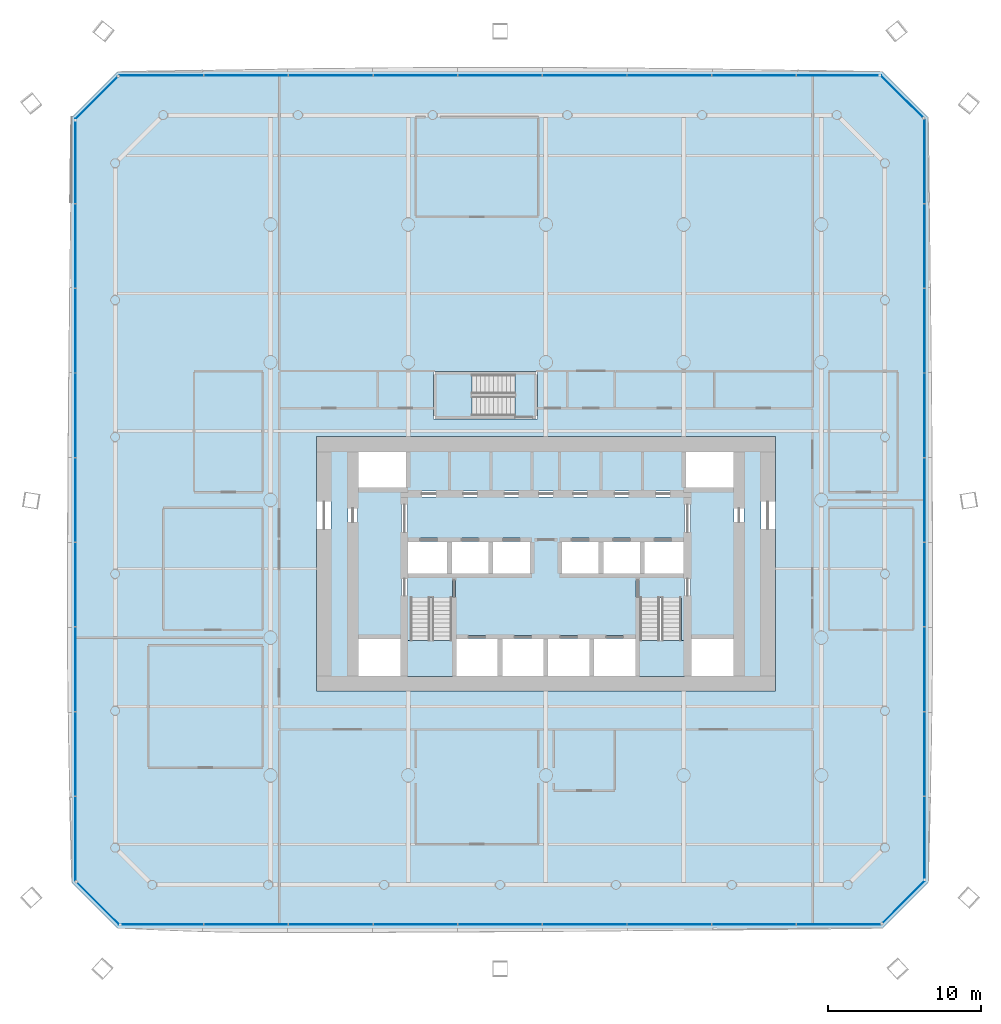
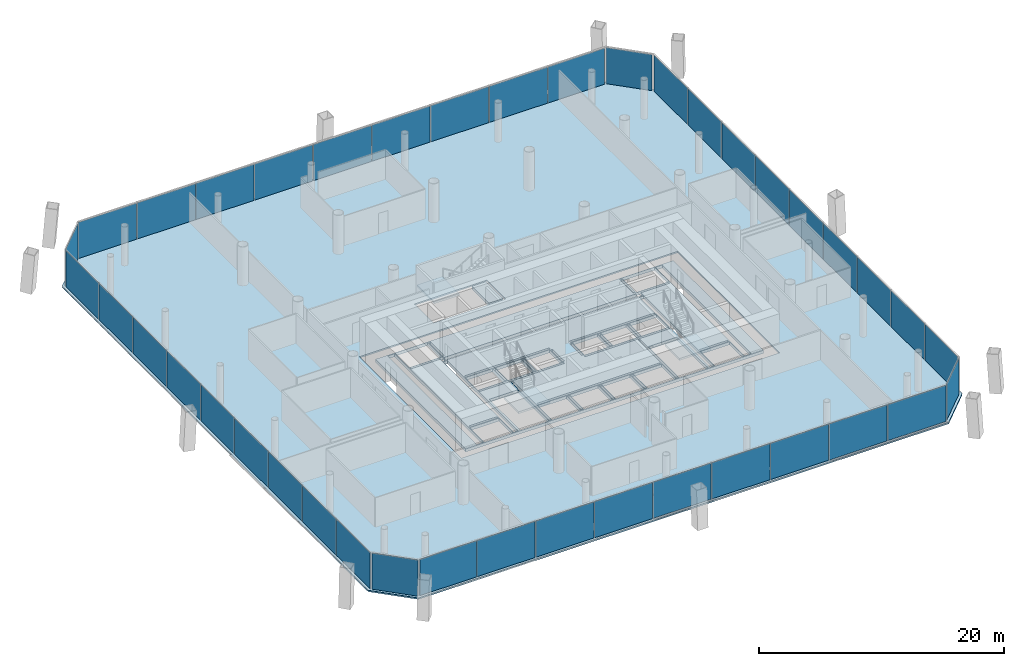
# One storey, part 14 of 23: 40 plates, 6 slabs, 11 elements without a shape of their own.
"""IFC4 building model written with IfcOpenShell, lengths in metres."""

from ifc_helpers import new_model, si_unit, direction, frame, origin, origin_2d, place, context, subcontext, project, spatial, polyline, rectangle, outline, extrude, material, layer, layer_set, type_object, element, aggregate, save


model = new_model("IFC4")

# Units and contexts
model_context = context("Model", 3, precision=1e-05, world=origin(), true_north=direction((0.0, 1.0)))
body_context = subcontext(model_context, "Body", "Model", "MODEL_VIEW")
ifc_project = project(units=[si_unit("LENGTHUNIT", "METRE"), si_unit("AREAUNIT", "SQUARE_METRE"), si_unit("VOLUMEUNIT", "CUBIC_METRE"), si_unit("PLANEANGLEUNIT", "RADIAN"), si_unit("MASSUNIT", "GRAM", prefix="KILO")], contexts=[model_context])

# Site, building, storey
site_placement = place(None, origin())
site = spatial("IfcSite", under=ifc_project, at=site_placement, CompositionType="ELEMENT")
building_placement = place(site_placement, origin())
building = spatial("IfcBuilding", under=site, at=building_placement, Name="Tskaro Facet Tower", CompositionType="ELEMENT")
storey_placement = place(building_placement, frame((0.0, 0.0, 14.699951171875)))
storey = spatial("IfcBuildingStorey", under=building, at=storey_placement, Name="L02", CompositionType="ELEMENT", Elevation=14.699951171875)

# Slab
ifc_material_1 = material(Name="Concrete C30/37", Category="concrete")
ifc_layer_1 = layer(ifc_material_1, 0.139892578125, Name="Concrete C30/37")
ifc_layer_set_1 = layer_set([ifc_layer_1], Name="Concrete C30/37")
slab_type_1 = type_object("IfcSlabType", Name="Composite deck floor slab", PredefinedType="FLOOR", material=ifc_layer_set_1)
slab_1_placement = place(storey_placement, frame((0.0, 0.0, -0.139892578125)))
element("IfcSlab", 1, at=slab_1_placement, inside=storey, type_object=slab_type_1, Name="Floor slab FS3 L02", PredefinedType="FLOOR", context=body_context, shape_type="SweptSolid", body=[
    extrude(outline(polyline([(-28.0, -28.0), (22.0, -28.0), (25.0, -25.0), (25.0, 25.0), (22.0, 28.0), (-28.0, 28.0), (-31.0, 25.0), (-31.0, -25.0), (-28.0, -28.0)]), holes=[polyline([(-15.0, -12.5), (15.0, -12.5), (15.0, 4.14990234375), (-15.0, 4.14990234375), (-15.0, -12.5)]), polyline([(-7.35009765625, 5.300048828125), (-0.550048828125, 5.300048828125), (-0.550048828125, 8.39990234375), (-7.35009765625, 8.39990234375), (-7.35009765625, 5.300048828125)])]), origin(), (0.0, 0.0, 1.0), 0.139892578125),
])

# Curtain wall, plates
ifc_material_2 = material(Name="Bronze anodised aluminium 6063-T6", Category="aluminium")
curtain_wall_type = type_object("IfcCurtainWallType", Name="Bronze office curtain wall (FW1)", PredefinedType="NOTDEFINED", material=ifc_material_2)
curtain_wall_1_placement = place(storey_placement, origin())
curtain_wall_1 = element("IfcCurtainWall", 2, at=curtain_wall_1_placement, inside=storey, type_object=curtain_wall_type, Name="FW1 south facet L02", PredefinedType="NOTDEFINED")
ifc_material_3 = material(Name="Bronze tinted glass", Category="glass")
ifc_layer_2 = layer(ifc_material_3, 0.031982421875, Name="Bronze tinted glass")
ifc_layer_set_2 = layer_set([ifc_layer_2], Name="Bronze tinted glass")
plate_type = type_object("IfcPlateType", Name="FW1 bronze-tinted unit glazing 32", PredefinedType="CURTAIN_PANEL", material=ifc_layer_set_2)
plate_1_placement = place(storey_placement, frame((-25.064697265625, -27.75, 0.0), z_axis=(0.0, 0.0, 1.0), x_axis=(1.0, 0.0, 0.0)))
plate_1 = element("IfcPlate", 3, at=plate_1_placement, type_object=plate_type, Name="FW1 south glazing 1.1", PredefinedType="CURTAIN_PANEL", context=body_context, shape_type="SweptSolid", body=[
    extrude(rectangle(XDim=5.342529296875, YDim=0.031982421875, at=origin_2d()), origin(), (0.0, 0.0, 1.0), 3.60009765625),
])
plate_2_placement = place(storey_placement, frame((-19.597412109375, -27.75, 0.0), z_axis=(0.0, 0.0, 1.0), x_axis=(1.0, 0.0, 0.0)))
plate_2 = element("IfcPlate", 4, at=plate_2_placement, type_object=plate_type, Name="FW1 south glazing 2.1", PredefinedType="CURTAIN_PANEL", context=body_context, shape_type="SweptSolid", body=[
    extrude(rectangle(XDim=5.472412109375, YDim=0.031982421875, at=origin_2d()), origin(), (0.0, 0.0, 1.0), 3.60009765625),
])
plate_3_placement = place(storey_placement, frame((-14.06494140625, -27.75, 0.0), z_axis=(0.0, 0.0, 1.0), x_axis=(1.0, 0.0, 0.0)))
plate_3 = element("IfcPlate", 5, at=plate_3_placement, type_object=plate_type, Name="FW1 south glazing 3.1", PredefinedType="CURTAIN_PANEL", context=body_context, shape_type="SweptSolid", body=[
    extrude(rectangle(XDim=5.472412109375, YDim=0.031982421875, at=origin_2d()), origin(), (0.0, 0.0, 1.0), 3.60009765625),
])
plate_4_placement = place(storey_placement, frame((-8.532470703125, -27.75, 0.0), z_axis=(0.0, 0.0, 1.0), x_axis=(1.0, 0.0, 0.0)))
plate_4 = element("IfcPlate", 6, at=plate_4_placement, type_object=plate_type, Name="FW1 south glazing 4.1", PredefinedType="CURTAIN_PANEL", context=body_context, shape_type="SweptSolid", body=[
    extrude(rectangle(XDim=5.472412109375, YDim=0.031982421875, at=origin_2d()), origin(), (0.0, 0.0, 1.0), 3.60009765625),
])
plate_5_placement = place(storey_placement, frame((-3.0, -27.75, 0.0), z_axis=(0.0, 0.0, 1.0), x_axis=(1.0, 0.0, 0.0)))
plate_5 = element("IfcPlate", 7, at=plate_5_placement, type_object=plate_type, Name="FW1 south glazing 5.1", PredefinedType="CURTAIN_PANEL", context=body_context, shape_type="SweptSolid", body=[
    extrude(rectangle(XDim=5.472412109375, YDim=0.031982421875, at=origin_2d()), origin(), (0.0, 0.0, 1.0), 3.60009765625),
])
plate_6_placement = place(storey_placement, frame((2.532470703125, -27.75, 0.0), z_axis=(0.0, 0.0, 1.0), x_axis=(1.0, 0.0, 0.0)))
plate_6 = element("IfcPlate", 8, at=plate_6_placement, type_object=plate_type, Name="FW1 south glazing 6.1", PredefinedType="CURTAIN_PANEL", context=body_context, shape_type="SweptSolid", body=[
    extrude(rectangle(XDim=5.472412109375, YDim=0.031982421875, at=origin_2d()), origin(), (0.0, 0.0, 1.0), 3.60009765625),
])
plate_7_placement = place(storey_placement, frame((8.06494140625, -27.75, 0.0), z_axis=(0.0, 0.0, 1.0), x_axis=(1.0, 0.0, 0.0)))
plate_7 = element("IfcPlate", 9, at=plate_7_placement, type_object=plate_type, Name="FW1 south glazing 7.1", PredefinedType="CURTAIN_PANEL", context=body_context, shape_type="SweptSolid", body=[
    extrude(rectangle(XDim=5.472412109375, YDim=0.031982421875, at=origin_2d()), origin(), (0.0, 0.0, 1.0), 3.60009765625),
])
plate_8_placement = place(storey_placement, frame((13.597412109375, -27.75, 0.0), z_axis=(0.0, 0.0, 1.0), x_axis=(1.0, 0.0, 0.0)))
plate_8 = element("IfcPlate", 10, at=plate_8_placement, type_object=plate_type, Name="FW1 south glazing 8.1", PredefinedType="CURTAIN_PANEL", context=body_context, shape_type="SweptSolid", body=[
    extrude(rectangle(XDim=5.472412109375, YDim=0.031982421875, at=origin_2d()), origin(), (0.0, 0.0, 1.0), 3.60009765625),
])
plate_9_placement = place(storey_placement, frame((19.144775390625, -27.75, 0.0), z_axis=(0.0, 0.0, 1.0), x_axis=(1.0, 0.0, 0.0)))
plate_9 = element("IfcPlate", 11, at=plate_9_placement, type_object=plate_type, Name="FW1 south glazing 9.1", PredefinedType="CURTAIN_PANEL", context=body_context, shape_type="SweptSolid", body=[
    extrude(rectangle(XDim=5.50244140625, YDim=0.031982421875, at=origin_2d()), origin(), (0.0, 0.0, 1.0), 3.60009765625),
])
aggregate(curtain_wall_1, [plate_1, plate_2, plate_3, plate_4, plate_5, plate_6, plate_7, plate_8, plate_9])

# Curtain wall, plate
curtain_wall_2_placement = place(storey_placement, origin())
curtain_wall_2 = element("IfcCurtainWall", 12, at=curtain_wall_2_placement, inside=storey, type_object=curtain_wall_type, Name="FW1 south-east facet L02", PredefinedType="NOTDEFINED")
plate_10_placement = place(storey_placement, frame((23.379638671875, -26.266357421875, 0.0), z_axis=(0.0, 0.0, 1.0), x_axis=(0.707106781187, 0.707106781187, 0.0)))
plate_10 = element("IfcPlate", 13, at=plate_10_placement, type_object=plate_type, Name="FW1 south-east glazing 1.1", PredefinedType="CURTAIN_PANEL", context=body_context, shape_type="SweptSolid", body=[
    extrude(rectangle(XDim=3.876220703125, YDim=0.031982421875, at=origin_2d()), origin(), (0.0, 0.0, 1.0), 3.60009765625),
])
aggregate(curtain_wall_2, [plate_10])

# Curtain wall, plates
curtain_wall_3_placement = place(storey_placement, origin())
curtain_wall_3 = element("IfcCurtainWall", 14, at=curtain_wall_3_placement, inside=storey, type_object=curtain_wall_type, Name="FW1 east facet L02", PredefinedType="NOTDEFINED")
plate_11_placement = place(storey_placement, frame((24.75, -22.064697265625, 0.0), z_axis=(0.0, 0.0, 1.0), x_axis=(0.0, 1.0, 0.0)))
plate_11 = element("IfcPlate", 15, at=plate_11_placement, type_object=plate_type, Name="FW1 east glazing 1.1", PredefinedType="CURTAIN_PANEL", context=body_context, shape_type="SweptSolid", body=[
    extrude(rectangle(XDim=5.342529296875, YDim=0.031982421875, at=origin_2d()), origin(), (0.0, 0.0, 1.0), 3.60009765625),
])
plate_12_placement = place(storey_placement, frame((24.75, -16.597412109375, 0.0), z_axis=(0.0, 0.0, 1.0), x_axis=(0.0, 1.0, 0.0)))
plate_12 = element("IfcPlate", 16, at=plate_12_placement, type_object=plate_type, Name="FW1 east glazing 2.1", PredefinedType="CURTAIN_PANEL", context=body_context, shape_type="SweptSolid", body=[
    extrude(rectangle(XDim=5.472412109375, YDim=0.031982421875, at=origin_2d()), origin(), (0.0, 0.0, 1.0), 3.60009765625),
])
plate_13_placement = place(storey_placement, frame((24.75, -11.06494140625, 0.0), z_axis=(0.0, 0.0, 1.0), x_axis=(0.0, 1.0, 0.0)))
plate_13 = element("IfcPlate", 17, at=plate_13_placement, type_object=plate_type, Name="FW1 east glazing 3.1", PredefinedType="CURTAIN_PANEL", context=body_context, shape_type="SweptSolid", body=[
    extrude(rectangle(XDim=5.472412109375, YDim=0.031982421875, at=origin_2d()), origin(), (0.0, 0.0, 1.0), 3.60009765625),
])
plate_14_placement = place(storey_placement, frame((24.75, -5.532470703125, 0.0), z_axis=(0.0, 0.0, 1.0), x_axis=(0.0, 1.0, 0.0)))
plate_14 = element("IfcPlate", 18, at=plate_14_placement, type_object=plate_type, Name="FW1 east glazing 4.1", PredefinedType="CURTAIN_PANEL", context=body_context, shape_type="SweptSolid", body=[
    extrude(rectangle(XDim=5.472412109375, YDim=0.031982421875, at=origin_2d()), origin(), (0.0, 0.0, 1.0), 3.60009765625),
])
plate_15_placement = place(storey_placement, frame((24.75, 0.0, 0.0), z_axis=(0.0, 0.0, 1.0), x_axis=(0.0, 1.0, 0.0)))
plate_15 = element("IfcPlate", 19, at=plate_15_placement, type_object=plate_type, Name="FW1 east glazing 5.1", PredefinedType="CURTAIN_PANEL", context=body_context, shape_type="SweptSolid", body=[
    extrude(rectangle(XDim=5.472412109375, YDim=0.031982421875, at=origin_2d()), origin(), (0.0, 0.0, 1.0), 3.60009765625),
])
plate_16_placement = place(storey_placement, frame((24.75, 5.532470703125, 0.0), z_axis=(0.0, 0.0, 1.0), x_axis=(0.0, 1.0, 0.0)))
plate_16 = element("IfcPlate", 20, at=plate_16_placement, type_object=plate_type, Name="FW1 east glazing 6.1", PredefinedType="CURTAIN_PANEL", context=body_context, shape_type="SweptSolid", body=[
    extrude(rectangle(XDim=5.472412109375, YDim=0.031982421875, at=origin_2d()), origin(), (0.0, 0.0, 1.0), 3.60009765625),
])
plate_17_placement = place(storey_placement, frame((24.75, 11.06494140625, 0.0), z_axis=(0.0, 0.0, 1.0), x_axis=(0.0, 1.0, 0.0)))
plate_17 = element("IfcPlate", 21, at=plate_17_placement, type_object=plate_type, Name="FW1 east glazing 7.1", PredefinedType="CURTAIN_PANEL", context=body_context, shape_type="SweptSolid", body=[
    extrude(rectangle(XDim=5.472412109375, YDim=0.031982421875, at=origin_2d()), origin(), (0.0, 0.0, 1.0), 3.60009765625),
])
plate_18_placement = place(storey_placement, frame((24.75, 16.597412109375, 0.0), z_axis=(0.0, 0.0, 1.0), x_axis=(0.0, 1.0, 0.0)))
plate_18 = element("IfcPlate", 22, at=plate_18_placement, type_object=plate_type, Name="FW1 east glazing 8.1", PredefinedType="CURTAIN_PANEL", context=body_context, shape_type="SweptSolid", body=[
    extrude(rectangle(XDim=5.472412109375, YDim=0.031982421875, at=origin_2d()), origin(), (0.0, 0.0, 1.0), 3.60009765625),
])
plate_19_placement = place(storey_placement, frame((24.75, 22.144775390625, 0.0), z_axis=(0.0, 0.0, 1.0), x_axis=(0.0, 1.0, 0.0)))
plate_19 = element("IfcPlate", 23, at=plate_19_placement, type_object=plate_type, Name="FW1 east glazing 9.1", PredefinedType="CURTAIN_PANEL", context=body_context, shape_type="SweptSolid", body=[
    extrude(rectangle(XDim=5.50244140625, YDim=0.031982421875, at=origin_2d()), origin(), (0.0, 0.0, 1.0), 3.60009765625),
])
aggregate(curtain_wall_3, [plate_11, plate_12, plate_13, plate_14, plate_15, plate_16, plate_17, plate_18, plate_19])

# Curtain wall, plate
curtain_wall_4_placement = place(storey_placement, origin())
curtain_wall_4 = element("IfcCurtainWall", 24, at=curtain_wall_4_placement, inside=storey, type_object=curtain_wall_type, Name="FW1 north-east facet L02", PredefinedType="NOTDEFINED")
plate_20_placement = place(storey_placement, frame((23.266357421875, 26.379638671875, 0.0), z_axis=(0.0, 0.0, 1.0), x_axis=(-0.707106781187, 0.707106781187, 0.0)))
plate_20 = element("IfcPlate", 25, at=plate_20_placement, type_object=plate_type, Name="FW1 north-east glazing 1.1", PredefinedType="CURTAIN_PANEL", context=body_context, shape_type="SweptSolid", body=[
    extrude(rectangle(XDim=3.876220703125, YDim=0.031982421875, at=origin_2d()), origin(), (0.0, 0.0, 1.0), 3.60009765625),
])
aggregate(curtain_wall_4, [plate_20])

# Curtain wall, plates
curtain_wall_5_placement = place(storey_placement, origin())
curtain_wall_5 = element("IfcCurtainWall", 26, at=curtain_wall_5_placement, inside=storey, type_object=curtain_wall_type, Name="FW1 north facet L02", PredefinedType="NOTDEFINED")
plate_21_placement = place(storey_placement, frame((19.064697265625, 27.75, 0.0), z_axis=(0.0, 0.0, 1.0), x_axis=(-1.0, 0.0, 0.0)))
plate_21 = element("IfcPlate", 27, at=plate_21_placement, type_object=plate_type, Name="FW1 north glazing 1.1", PredefinedType="CURTAIN_PANEL", context=body_context, shape_type="SweptSolid", body=[
    extrude(rectangle(XDim=5.342529296875, YDim=0.031982421875, at=origin_2d()), origin(), (0.0, 0.0, 1.0), 3.60009765625),
])
plate_22_placement = place(storey_placement, frame((13.597412109375, 27.75, 0.0), z_axis=(0.0, 0.0, 1.0), x_axis=(-1.0, 0.0, 0.0)))
plate_22 = element("IfcPlate", 28, at=plate_22_placement, type_object=plate_type, Name="FW1 north glazing 2.1", PredefinedType="CURTAIN_PANEL", context=body_context, shape_type="SweptSolid", body=[
    extrude(rectangle(XDim=5.472412109375, YDim=0.031982421875, at=origin_2d()), origin(), (0.0, 0.0, 1.0), 3.60009765625),
])
plate_23_placement = place(storey_placement, frame((8.06494140625, 27.75, 0.0), z_axis=(0.0, 0.0, 1.0), x_axis=(-1.0, 0.0, 0.0)))
plate_23 = element("IfcPlate", 29, at=plate_23_placement, type_object=plate_type, Name="FW1 north glazing 3.1", PredefinedType="CURTAIN_PANEL", context=body_context, shape_type="SweptSolid", body=[
    extrude(rectangle(XDim=5.472412109375, YDim=0.031982421875, at=origin_2d()), origin(), (0.0, 0.0, 1.0), 3.60009765625),
])
plate_24_placement = place(storey_placement, frame((2.532470703125, 27.75, 0.0), z_axis=(0.0, 0.0, 1.0), x_axis=(-1.0, 0.0, 0.0)))
plate_24 = element("IfcPlate", 30, at=plate_24_placement, type_object=plate_type, Name="FW1 north glazing 4.1", PredefinedType="CURTAIN_PANEL", context=body_context, shape_type="SweptSolid", body=[
    extrude(rectangle(XDim=5.472412109375, YDim=0.031982421875, at=origin_2d()), origin(), (0.0, 0.0, 1.0), 3.60009765625),
])
plate_25_placement = place(storey_placement, frame((-3.0, 27.75, 0.0), z_axis=(0.0, 0.0, 1.0), x_axis=(-1.0, 0.0, 0.0)))
plate_25 = element("IfcPlate", 31, at=plate_25_placement, type_object=plate_type, Name="FW1 north glazing 5.1", PredefinedType="CURTAIN_PANEL", context=body_context, shape_type="SweptSolid", body=[
    extrude(rectangle(XDim=5.472412109375, YDim=0.031982421875, at=origin_2d()), origin(), (0.0, 0.0, 1.0), 3.60009765625),
])
plate_26_placement = place(storey_placement, frame((-8.532470703125, 27.75, 0.0), z_axis=(0.0, 0.0, 1.0), x_axis=(-1.0, 0.0, 0.0)))
plate_26 = element("IfcPlate", 32, at=plate_26_placement, type_object=plate_type, Name="FW1 north glazing 6.1", PredefinedType="CURTAIN_PANEL", context=body_context, shape_type="SweptSolid", body=[
    extrude(rectangle(XDim=5.472412109375, YDim=0.031982421875, at=origin_2d()), origin(), (0.0, 0.0, 1.0), 3.60009765625),
])
plate_27_placement = place(storey_placement, frame((-14.06494140625, 27.75, 0.0), z_axis=(0.0, 0.0, 1.0), x_axis=(-1.0, 0.0, 0.0)))
plate_27 = element("IfcPlate", 33, at=plate_27_placement, type_object=plate_type, Name="FW1 north glazing 7.1", PredefinedType="CURTAIN_PANEL", context=body_context, shape_type="SweptSolid", body=[
    extrude(rectangle(XDim=5.472412109375, YDim=0.031982421875, at=origin_2d()), origin(), (0.0, 0.0, 1.0), 3.60009765625),
])
plate_28_placement = place(storey_placement, frame((-19.597412109375, 27.75, 0.0), z_axis=(0.0, 0.0, 1.0), x_axis=(-1.0, 0.0, 0.0)))
plate_28 = element("IfcPlate", 34, at=plate_28_placement, type_object=plate_type, Name="FW1 north glazing 8.1", PredefinedType="CURTAIN_PANEL", context=body_context, shape_type="SweptSolid", body=[
    extrude(rectangle(XDim=5.472412109375, YDim=0.031982421875, at=origin_2d()), origin(), (0.0, 0.0, 1.0), 3.60009765625),
])
plate_29_placement = place(storey_placement, frame((-25.144775390625, 27.75, 0.0), z_axis=(0.0, 0.0, 1.0), x_axis=(-1.0, 0.0, 0.0)))
plate_29 = element("IfcPlate", 35, at=plate_29_placement, type_object=plate_type, Name="FW1 north glazing 9.1", PredefinedType="CURTAIN_PANEL", context=body_context, shape_type="SweptSolid", body=[
    extrude(rectangle(XDim=5.50244140625, YDim=0.031982421875, at=origin_2d()), origin(), (0.0, 0.0, 1.0), 3.60009765625),
])
aggregate(curtain_wall_5, [plate_21, plate_22, plate_23, plate_24, plate_25, plate_26, plate_27, plate_28, plate_29])

# Curtain wall, plate
curtain_wall_6_placement = place(storey_placement, origin())
curtain_wall_6 = element("IfcCurtainWall", 36, at=curtain_wall_6_placement, inside=storey, type_object=curtain_wall_type, Name="FW1 north-west facet L02", PredefinedType="NOTDEFINED")
plate_30_placement = place(storey_placement, frame((-29.379638671875, 26.266357421875, 0.0), z_axis=(0.0, 0.0, 1.0), x_axis=(-0.707106781187, -0.707106781187, 0.0)))
plate_30 = element("IfcPlate", 37, at=plate_30_placement, type_object=plate_type, Name="FW1 north-west glazing 1.1", PredefinedType="CURTAIN_PANEL", context=body_context, shape_type="SweptSolid", body=[
    extrude(rectangle(XDim=3.876220703125, YDim=0.031982421875, at=origin_2d()), origin(), (0.0, 0.0, 1.0), 3.60009765625),
])
aggregate(curtain_wall_6, [plate_30])

# Curtain wall, plates
curtain_wall_7_placement = place(storey_placement, origin())
curtain_wall_7 = element("IfcCurtainWall", 38, at=curtain_wall_7_placement, inside=storey, type_object=curtain_wall_type, Name="FW1 west facet L02", PredefinedType="NOTDEFINED")
plate_31_placement = place(storey_placement, frame((-30.75, 22.064697265625, 0.0), z_axis=(0.0, 0.0, 1.0), x_axis=(0.0, -1.0, 0.0)))
plate_31 = element("IfcPlate", 39, at=plate_31_placement, type_object=plate_type, Name="FW1 west glazing 1.1", PredefinedType="CURTAIN_PANEL", context=body_context, shape_type="SweptSolid", body=[
    extrude(rectangle(XDim=5.342529296875, YDim=0.031982421875, at=origin_2d()), origin(), (0.0, 0.0, 1.0), 3.60009765625),
])
plate_32_placement = place(storey_placement, frame((-30.75, 16.597412109375, 0.0), z_axis=(0.0, 0.0, 1.0), x_axis=(0.0, -1.0, 0.0)))
plate_32 = element("IfcPlate", 40, at=plate_32_placement, type_object=plate_type, Name="FW1 west glazing 2.1", PredefinedType="CURTAIN_PANEL", context=body_context, shape_type="SweptSolid", body=[
    extrude(rectangle(XDim=5.472412109375, YDim=0.031982421875, at=origin_2d()), origin(), (0.0, 0.0, 1.0), 3.60009765625),
])
plate_33_placement = place(storey_placement, frame((-30.75, 11.06494140625, 0.0), z_axis=(0.0, 0.0, 1.0), x_axis=(0.0, -1.0, 0.0)))
plate_33 = element("IfcPlate", 41, at=plate_33_placement, type_object=plate_type, Name="FW1 west glazing 3.1", PredefinedType="CURTAIN_PANEL", context=body_context, shape_type="SweptSolid", body=[
    extrude(rectangle(XDim=5.472412109375, YDim=0.031982421875, at=origin_2d()), origin(), (0.0, 0.0, 1.0), 3.60009765625),
])
plate_34_placement = place(storey_placement, frame((-30.75, 5.532470703125, 0.0), z_axis=(0.0, 0.0, 1.0), x_axis=(0.0, -1.0, 0.0)))
plate_34 = element("IfcPlate", 42, at=plate_34_placement, type_object=plate_type, Name="FW1 west glazing 4.1", PredefinedType="CURTAIN_PANEL", context=body_context, shape_type="SweptSolid", body=[
    extrude(rectangle(XDim=5.472412109375, YDim=0.031982421875, at=origin_2d()), origin(), (0.0, 0.0, 1.0), 3.60009765625),
])
plate_35_placement = place(storey_placement, frame((-30.75, 0.0, 0.0), z_axis=(0.0, 0.0, 1.0), x_axis=(0.0, -1.0, 0.0)))
plate_35 = element("IfcPlate", 43, at=plate_35_placement, type_object=plate_type, Name="FW1 west glazing 5.1", PredefinedType="CURTAIN_PANEL", context=body_context, shape_type="SweptSolid", body=[
    extrude(rectangle(XDim=5.472412109375, YDim=0.031982421875, at=origin_2d()), origin(), (0.0, 0.0, 1.0), 3.60009765625),
])
plate_36_placement = place(storey_placement, frame((-30.75, -5.532470703125, 0.0), z_axis=(0.0, 0.0, 1.0), x_axis=(0.0, -1.0, 0.0)))
plate_36 = element("IfcPlate", 44, at=plate_36_placement, type_object=plate_type, Name="FW1 west glazing 6.1", PredefinedType="CURTAIN_PANEL", context=body_context, shape_type="SweptSolid", body=[
    extrude(rectangle(XDim=5.472412109375, YDim=0.031982421875, at=origin_2d()), origin(), (0.0, 0.0, 1.0), 3.60009765625),
])
plate_37_placement = place(storey_placement, frame((-30.75, -11.06494140625, 0.0), z_axis=(0.0, 0.0, 1.0), x_axis=(0.0, -1.0, 0.0)))
plate_37 = element("IfcPlate", 45, at=plate_37_placement, type_object=plate_type, Name="FW1 west glazing 7.1", PredefinedType="CURTAIN_PANEL", context=body_context, shape_type="SweptSolid", body=[
    extrude(rectangle(XDim=5.472412109375, YDim=0.031982421875, at=origin_2d()), origin(), (0.0, 0.0, 1.0), 3.60009765625),
])
plate_38_placement = place(storey_placement, frame((-30.75, -16.597412109375, 0.0), z_axis=(0.0, 0.0, 1.0), x_axis=(0.0, -1.0, 0.0)))
plate_38 = element("IfcPlate", 46, at=plate_38_placement, type_object=plate_type, Name="FW1 west glazing 8.1", PredefinedType="CURTAIN_PANEL", context=body_context, shape_type="SweptSolid", body=[
    extrude(rectangle(XDim=5.472412109375, YDim=0.031982421875, at=origin_2d()), origin(), (0.0, 0.0, 1.0), 3.60009765625),
])
plate_39_placement = place(storey_placement, frame((-30.75, -22.144775390625, 0.0), z_axis=(0.0, 0.0, 1.0), x_axis=(0.0, -1.0, 0.0)))
plate_39 = element("IfcPlate", 47, at=plate_39_placement, type_object=plate_type, Name="FW1 west glazing 9.1", PredefinedType="CURTAIN_PANEL", context=body_context, shape_type="SweptSolid", body=[
    extrude(rectangle(XDim=5.50244140625, YDim=0.031982421875, at=origin_2d()), origin(), (0.0, 0.0, 1.0), 3.60009765625),
])
aggregate(curtain_wall_7, [plate_31, plate_32, plate_33, plate_34, plate_35, plate_36, plate_37, plate_38, plate_39])

# Curtain wall, plate
curtain_wall_8_placement = place(storey_placement, origin())
curtain_wall_8 = element("IfcCurtainWall", 48, at=curtain_wall_8_placement, inside=storey, type_object=curtain_wall_type, Name="FW1 south-west facet L02", PredefinedType="NOTDEFINED")
plate_40_placement = place(storey_placement, frame((-29.266357421875, -26.379638671875, 0.0), z_axis=(0.0, 0.0, 1.0), x_axis=(0.707106781187, -0.707106781187, 0.0)))
plate_40 = element("IfcPlate", 49, at=plate_40_placement, type_object=plate_type, Name="FW1 south-west glazing 1.1", PredefinedType="CURTAIN_PANEL", context=body_context, shape_type="SweptSolid", body=[
    extrude(rectangle(XDim=3.876220703125, YDim=0.031982421875, at=origin_2d()), origin(), (0.0, 0.0, 1.0), 3.60009765625),
])
aggregate(curtain_wall_8, [plate_40])

# Stair, slab
ifc_material_4 = material(Name="Concrete C40/50", Category="concrete")
stair_type = type_object("IfcStairType", Name="ST-TWR", PredefinedType="HALF_TURN_STAIR", material=ifc_material_4)
stair_1_placement = place(storey_placement, origin())
stair_1 = element("IfcStair", 50, at=stair_1_placement, inside=storey, type_object=stair_type, Name="L02 Exit stair 1", PredefinedType="HALF_TURN_STAIR")
ifc_layer_3 = layer(ifc_material_4, 0.199951171875, Name="Concrete C40/50")
ifc_layer_set_3 = layer_set([ifc_layer_3], Name="Concrete C40/50")
slab_type_2 = type_object("IfcSlabType", Name="SL-LANDING", PredefinedType="LANDING", material=ifc_layer_set_3)
slab_2_placement = place(storey_placement, frame((0.0, 0.0, 1.75)))
slab_2 = element("IfcSlab", 51, at=slab_2_placement, type_object=slab_type_2, Name="ST-1 landing 1", PredefinedType="LANDING", context=body_context, shape_type="SweptSolid", body=[
    extrude(outline(polyline([(-9.050048828125, -11.550048828125), (-6.10009765625, -11.550048828125), (-6.10009765625, -9.175048828125), (-9.050048828125, -9.175048828125), (-9.050048828125, -11.550048828125)])), origin(), (0.0, 0.0, 1.0), 0.199951171875),
])
aggregate(stair_1, [slab_2])

stair_2_placement = place(storey_placement, origin())
stair_2 = element("IfcStair", 52, at=stair_2_placement, inside=storey, type_object=stair_type, Name="L02 Exit stair 2", PredefinedType="HALF_TURN_STAIR")
slab_3_placement = place(storey_placement, frame((0.0, 0.0, 1.75)))
slab_3 = element("IfcSlab", 53, at=slab_3_placement, type_object=slab_type_2, Name="ST-2 landing 1", PredefinedType="LANDING", context=body_context, shape_type="SweptSolid", body=[
    extrude(outline(polyline([(6.10009765625, -11.550048828125), (9.050048828125, -11.550048828125), (9.050048828125, -9.175048828125), (6.10009765625, -9.175048828125), (6.10009765625, -11.550048828125)])), origin(), (0.0, 0.0, 1.0), 0.199951171875),
])
aggregate(stair_2, [slab_3])

stair_3_placement = place(storey_placement, origin())
stair_3 = element("IfcStair", 54, at=stair_3_placement, inside=storey, type_object=stair_type, Name="L02 Exit stair 3", PredefinedType="HALF_TURN_STAIR")
slab_4_placement = place(storey_placement, frame((0.0, 0.0, 1.75)))
slab_4 = element("IfcSlab", 55, at=slab_4_placement, type_object=slab_type_2, Name="ST-3 landing 1", PredefinedType="LANDING", context=body_context, shape_type="SweptSolid", body=[
    extrude(outline(polyline([(-7.199951171875, 5.449951171875), (-4.824951171875, 5.449951171875), (-4.824951171875, 8.25), (-7.199951171875, 8.25), (-7.199951171875, 5.449951171875)])), origin(), (0.0, 0.0, 1.0), 0.199951171875),
])
aggregate(stair_3, [slab_4])

# Slabs
ifc_material_5 = material(Name="Concrete C60/75", Category="concrete")
ifc_layer_4 = layer(ifc_material_5, 0.300048828125, Name="Concrete C60/75")
ifc_layer_set_4 = layer_set([ifc_layer_4], Name="Concrete C60/75")
slab_type_3 = type_object("IfcSlabType", Name="SLAB-CORE", PredefinedType="FLOOR", material=ifc_layer_set_4)
slab_5_placement = place(storey_placement, frame((0.0, 0.0, -0.300048828125)))
element("IfcSlab", 56, at=slab_5_placement, inside=storey, type_object=slab_type_3, Name="Core floor slab 1", PredefinedType="FLOOR", context=body_context, shape_type="SweptSolid", body=[
    extrude(outline(polyline([(-14.050048828125, 3.199951171875), (14.050048828125, 3.199951171875), (14.050048828125, 3.10009765625), (14.050048828125, -11.449951171875), (14.050048828125, -11.550048828125), (-14.050048828125, -11.550048828125), (-14.050048828125, -11.449951171875), (-14.050048828125, 3.10009765625), (-14.050048828125, 3.199951171875)]), holes=[polyline([(-9.5, -9.10009765625), (-12.25, -9.10009765625), (-12.25, -11.5), (-9.5, -11.5), (-9.5, -9.10009765625)]), polyline([(-3.14990234375, -9.10009765625), (-5.85009765625, -9.10009765625), (-5.85009765625, -11.5), (-3.14990234375, -11.5), (-3.14990234375, -9.10009765625)]), polyline([(-12.199951171875, -8.85009765625), (-12.199951171875, -9.050048828125), (-9.550048828125, -9.050048828125), (-9.550048828125, -8.85009765625), (-12.199951171875, -8.85009765625)]), polyline([(-6.10009765625, -11.449951171875), (-5.89990234375, -11.449951171875), (-5.89990234375, -5.14990234375), (-6.10009765625, -5.14990234375), (-6.10009765625, -11.449951171875)]), polyline([(-9.449951171875, 0.10009765625), (-9.449951171875, -11.449951171875), (-9.050048828125, -11.449951171875), (-9.050048828125, 0.10009765625), (-9.449951171875, 0.10009765625)]), polyline([(-8.949951171875, -4.85009765625), (-8.949951171875, -5.050048828125), (-0.949951171875, -5.050048828125), (-0.949951171875, -4.85009765625), (-8.949951171875, -4.85009765625)]), polyline([(-12.949951171875, -11.449951171875), (-12.300048828125, -11.449951171875), (-12.300048828125, 3.10009765625), (-12.949951171875, 3.10009765625), (-12.949951171875, -11.449951171875)]), polyline([(-6.449951171875, -4.800048828125), (-6.449951171875, -2.75), (-9.0, -2.75), (-9.0, -4.800048828125), (-6.449951171875, -4.800048828125)]), polyline([(-6.14990234375, -4.800048828125), (-3.75, -4.800048828125), (-3.75, -2.75), (-6.14990234375, -2.75), (-6.14990234375, -4.800048828125)]), polyline([(-6.39990234375, -2.800048828125), (-6.39990234375, -4.75), (-6.199951171875, -4.75), (-6.199951171875, -2.800048828125), (-6.39990234375, -2.800048828125)]), polyline([(-8.949951171875, -2.5), (-8.949951171875, -2.699951171875), (-0.949951171875, -2.699951171875), (-0.949951171875, -2.5), (-8.949951171875, -2.5)]), polyline([(9.449951171875, 0.550048828125), (12.199951171875, 0.550048828125), (12.199951171875, 0.75), (9.050048828125, 0.75), (9.050048828125, 0.60009765625), (-9.050048828125, 0.60009765625), (-9.050048828125, 0.75), (-12.199951171875, 0.75), (-12.199951171875, 0.550048828125), (-9.449951171875, 0.550048828125), (-9.449951171875, 0.199951171875), (9.449951171875, 0.199951171875), (9.449951171875, 0.550048828125)]), polyline([(-9.10009765625, 3.10009765625), (-9.10009765625, 0.85009765625), (-8.89990234375, 0.85009765625), (-8.89990234375, 3.10009765625), (-9.10009765625, 3.10009765625)]), polyline([(-9.14990234375, 0.800048828125), (-9.14990234375, 3.14990234375), (-12.25, 3.14990234375), (-12.25, 0.800048828125), (-9.14990234375, 0.800048828125)]), polyline([(2.89990234375, -11.449951171875), (3.10009765625, -11.449951171875), (3.10009765625, -9.14990234375), (2.89990234375, -9.14990234375), (2.89990234375, -11.449951171875)]), polyline([(-3.10009765625, -9.14990234375), (-3.10009765625, -11.449951171875), (-2.89990234375, -11.449951171875), (-2.89990234375, -9.14990234375), (-3.10009765625, -9.14990234375)]), polyline([(2.85009765625, -9.10009765625), (0.14990234375, -9.10009765625), (0.14990234375, -11.5), (2.85009765625, -11.5), (2.85009765625, -9.10009765625)]), polyline([(-0.14990234375, -9.10009765625), (-2.85009765625, -9.10009765625), (-2.85009765625, -11.5), (-0.14990234375, -11.5), (-0.14990234375, -9.10009765625)]), polyline([(-0.10009765625, -9.14990234375), (-0.10009765625, -11.449951171875), (0.10009765625, -11.449951171875), (0.10009765625, -9.14990234375), (-0.10009765625, -9.14990234375)]), polyline([(-5.800048828125, -8.85009765625), (-5.800048828125, -9.050048828125), (5.800048828125, -9.050048828125), (5.800048828125, -8.85009765625), (-5.800048828125, -8.85009765625)]), polyline([(-1.0, -2.800048828125), (-1.0, -4.75), (-0.800048828125, -4.75), (-0.800048828125, -2.800048828125), (-1.0, -2.800048828125)]), polyline([(0.800048828125, -4.75), (1.0, -4.75), (1.0, -2.800048828125), (0.800048828125, -2.800048828125), (0.800048828125, -4.75)]), polyline([(-3.449951171875, -2.75), (-3.449951171875, -4.800048828125), (-1.050048828125, -4.800048828125), (-1.050048828125, -2.75), (-3.449951171875, -2.75)]), polyline([(1.050048828125, -4.800048828125), (3.449951171875, -4.800048828125), (3.449951171875, -2.75), (1.050048828125, -2.75), (1.050048828125, -4.800048828125)]), polyline([(-3.699951171875, -4.75), (-3.5, -4.75), (-3.5, -2.800048828125), (-3.699951171875, -2.800048828125), (-3.699951171875, -4.75)]), polyline([(3.14990234375, -9.10009765625), (3.14990234375, -11.5), (5.85009765625, -11.5), (5.85009765625, -9.10009765625), (3.14990234375, -9.10009765625)]), polyline([(12.25, -11.5), (12.25, -9.10009765625), (9.5, -9.10009765625), (9.5, -11.5), (12.25, -11.5)]), polyline([(9.550048828125, -8.85009765625), (9.550048828125, -9.050048828125), (12.199951171875, -9.050048828125), (12.199951171875, -8.85009765625), (9.550048828125, -8.85009765625)]), polyline([(5.89990234375, -11.449951171875), (6.10009765625, -11.449951171875), (6.10009765625, -5.14990234375), (5.89990234375, -5.14990234375), (5.89990234375, -11.449951171875)]), polyline([(9.050048828125, 0.10009765625), (9.050048828125, -11.449951171875), (9.449951171875, -11.449951171875), (9.449951171875, 0.10009765625), (9.050048828125, 0.10009765625)]), polyline([(0.949951171875, -4.85009765625), (0.949951171875, -5.050048828125), (8.949951171875, -5.050048828125), (8.949951171875, -4.85009765625), (0.949951171875, -4.85009765625)]), polyline([(12.300048828125, -11.449951171875), (12.949951171875, -11.449951171875), (12.949951171875, 3.10009765625), (12.300048828125, 3.10009765625), (12.300048828125, -11.449951171875)]), polyline([(3.5, -2.800048828125), (3.5, -4.75), (3.699951171875, -4.75), (3.699951171875, -2.800048828125), (3.5, -2.800048828125)]), polyline([(6.14990234375, -2.75), (3.75, -2.75), (3.75, -4.800048828125), (6.14990234375, -4.800048828125), (6.14990234375, -2.75)]), polyline([(6.199951171875, -2.800048828125), (6.199951171875, -4.75), (6.39990234375, -4.75), (6.39990234375, -2.800048828125), (6.199951171875, -2.800048828125)]), polyline([(6.449951171875, -2.75), (6.449951171875, -4.800048828125), (9.0, -4.800048828125), (9.0, -2.75), (6.449951171875, -2.75)]), polyline([(0.949951171875, -2.5), (0.949951171875, -2.699951171875), (8.949951171875, -2.699951171875), (8.949951171875, -2.5), (0.949951171875, -2.5)]), polyline([(8.89990234375, 3.10009765625), (8.89990234375, 0.85009765625), (9.10009765625, 0.85009765625), (9.10009765625, 3.10009765625), (8.89990234375, 3.10009765625)]), polyline([(9.14990234375, 0.800048828125), (12.25, 0.800048828125), (12.25, 3.14990234375), (9.14990234375, 3.14990234375), (9.14990234375, 0.800048828125)]), polyline([(-8.85009765625, -11.5), (-6.14990234375, -11.5), (-6.14990234375, -6.39501953125), (-8.85009765625, -6.39501953125), (-8.85009765625, -11.5)]), polyline([(6.14990234375, -6.39501953125), (6.14990234375, -11.5), (8.85009765625, -11.5), (8.85009765625, -6.39501953125), (6.14990234375, -6.39501953125)])]), origin(), (0.0, 0.0, 1.0), 0.300048828125),
])
slab_6_placement = place(storey_placement, frame((0.0, 0.0, -0.300048828125)))
element("IfcSlab", 57, at=slab_6_placement, inside=storey, type_object=slab_type_3, Name="Stair 3 floor landing 1", PredefinedType="FLOOR", context=body_context, shape_type="SweptSolid", body=[
    extrude(outline(polyline([(-2.02490234375, 5.449951171875), (-0.699951171875, 5.449951171875), (-0.699951171875, 8.25), (-2.02490234375, 8.25), (-2.02490234375, 5.449951171875)])), origin(), (0.0, 0.0, 1.0), 0.300048828125),
])

save(model, "model.ifc")
